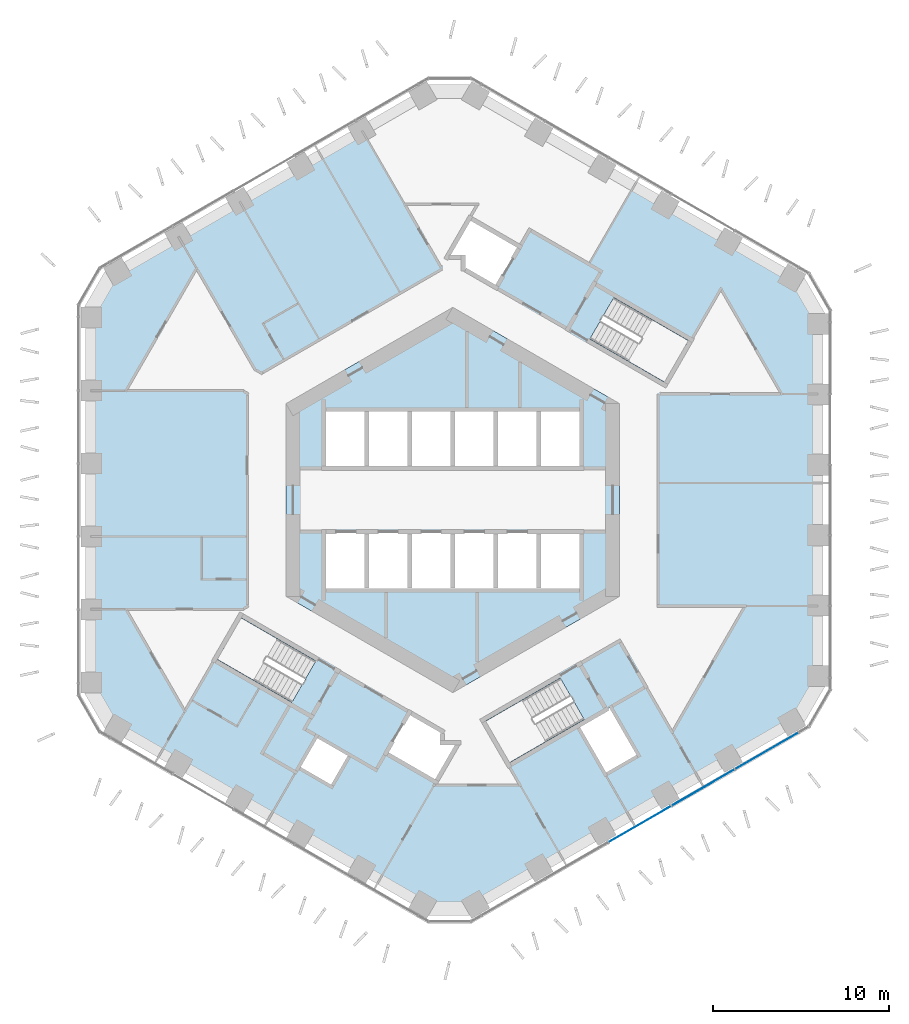
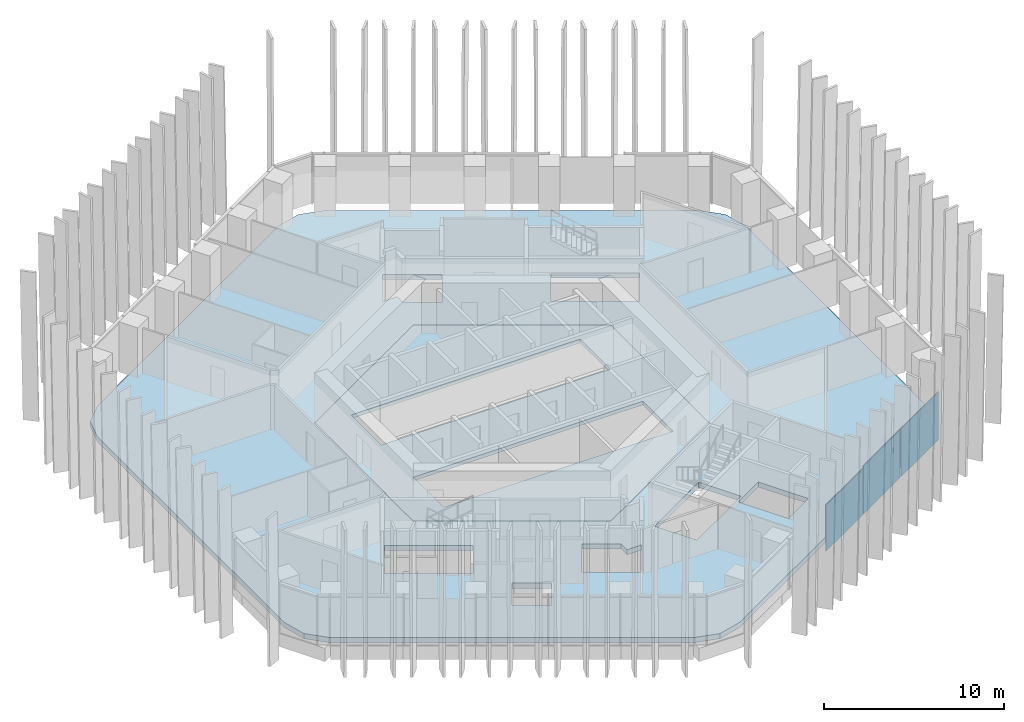
# One storey, part 10 of 20: 3 plates, 2 slabs, 1 element without a shape of its own.
"""IFC4 building model written with IfcOpenShell, lengths in metres."""

from ifc_helpers import new_model, si_unit, direction, frame, origin, origin_2d, place, context, subcontext, project, spatial, polyline, rectangle, outline, extrude, material, layer, layer_set, type_object, element, aggregate, save


model = new_model("IFC4")

# Units and contexts
model_context = context("Model", 3, precision=1e-05, world=origin(), true_north=direction((0.0, 1.0)))
body_context = subcontext(model_context, "Body", "Model", "MODEL_VIEW")
ifc_project = project(units=[si_unit("LENGTHUNIT", "METRE"), si_unit("AREAUNIT", "SQUARE_METRE"), si_unit("VOLUMEUNIT", "CUBIC_METRE"), si_unit("PLANEANGLEUNIT", "RADIAN"), si_unit("MASSUNIT", "GRAM", prefix="KILO")], contexts=[model_context])

# Site, building, storey
site_placement = place(None, origin())
site = spatial("IfcSite", under=ifc_project, at=site_placement, CompositionType="ELEMENT")
building_placement = place(site_placement, origin())
building = spatial("IfcBuilding", under=site, at=building_placement, Name="Ayvan Gate Tower", CompositionType="ELEMENT")
storey_placement = place(building_placement, frame((0.0, 0.0, 35.699951171875)))
storey = spatial("IfcBuildingStorey", under=building, at=storey_placement, Name="L08", CompositionType="ELEMENT", Elevation=35.699951171875)

# Slabs
ifc_material_1 = material(Name="Concrete C40/50", Category="concrete")
ifc_layer_1 = layer(ifc_material_1, 0.35009765625)
ifc_layer_set_1 = layer_set([ifc_layer_1], Name="Concrete C40/50")
slab_type_1 = type_object("IfcSlabType", Name="Post-tensioned flat slab 350", PredefinedType="FLOOR", material=ifc_layer_set_1)
slab_1_placement = place(storey_placement, frame((0.0, 0.0, -0.349853515625)))
element("IfcSlab", 1, at=slab_1_placement, inside=storey, type_object=slab_type_1, Name="SL-L08", PredefinedType="FLOOR", context=body_context, shape_type="SweptSolid", body=[
    extrude(outline(polyline([(-1.677978515625, -23.03125), (-19.106689453125, -12.96875), (-20.20458984375, -11.870849609375), (-20.606689453125, -10.370849609375), (-20.606689453125, 10.370849609375), (-20.20458984375, 11.870849609375), (-19.106689453125, 12.96875), (-1.677978515625, 23.03125), (-0.177978515625, 23.43310546875), (1.322021484375, 23.03125), (19.28466796875, 12.660400390625), (20.382568359375, 11.562255859375), (20.78466796875, 10.062255859375), (20.78466796875, -10.062255859375), (20.382568359375, -11.562255859375), (19.28466796875, -12.660400390625), (1.322021484375, -23.03125), (-0.177978515625, -23.43310546875), (-1.677978515625, -23.03125)]), holes=[polyline([(9.1611328125, 11.517578125), (7.80615234375, 9.170654296875), (12.049560546875, 6.720458984375), (13.404541015625, 9.0673828125), (9.1611328125, 11.517578125)]), polyline([(10.595458984375, -14.5517578125), (8.995361328125, -11.780517578125), (8.735595703125, -11.9306640625), (7.090087890625, -12.880615234375), (8.690185546875, -15.65185546875), (10.595458984375, -14.5517578125)]), polyline([(-9.5, 5.48486328125), (-9.5, -5.48486328125), (0.0, -10.9697265625), (9.5, -5.48486328125), (9.5, 5.48486328125), (0.0, 10.9697265625), (-9.5, 5.48486328125)]), polyline([(7.472412109375, -12.492431640625), (6.117431640625, -10.1455078125), (1.873779296875, -12.595458984375), (3.228759765625, -14.9423828125), (7.472412109375, -12.492431640625)]), polyline([(3.822509765625, 14.420654296875), (0.964599609375, 16.07080078125), (-0.340576171875, 13.81005859375), (0.60009765625, 13.81005859375), (0.60009765625, 13.16357421875), (2.472412109375, 12.08251953125), (3.822509765625, 14.420654296875)]), polyline([(-0.60009765625, -13.81005859375), (-0.60009765625, -13.16357421875), (-2.472412109375, -12.08251953125), (-3.822509765625, -14.420654296875), (-0.964599609375, -16.07080078125), (0.340576171875, -13.81005859375), (-0.60009765625, -13.81005859375)]), polyline([(-8.800048828125, -15.241943359375), (-6.894775390625, -16.342041015625), (-5.8447265625, -14.5234375), (-7.75, -13.42333984375), (-8.800048828125, -15.241943359375)]), polyline([(-12.049560546875, -6.720458984375), (-13.404541015625, -9.0673828125), (-9.1611328125, -11.517578125), (-7.80615234375, -9.170654296875), (-12.049560546875, -6.720458984375)])]), origin(), (0.0, 0.0, 1.0), 0.349853515625),
])
ifc_layer_2 = layer(ifc_material_1, 0.25)
ifc_layer_set_2 = layer_set([ifc_layer_2], Name="Concrete C40/50")
slab_type_2 = type_object("IfcSlabType", Name="SL-CORE-250", PredefinedType="FLOOR", material=ifc_layer_set_2)
slab_2_placement = place(storey_placement, frame((0.0, 0.0, -0.25)))
element("IfcSlab", 2, at=slab_2_placement, inside=storey, type_object=slab_type_2, Name="CS-L08", PredefinedType="FLOOR", context=body_context, shape_type="SweptSolid", body=[
    extrude(outline(polyline([(9.5, -5.48486328125), (0.0, -10.9697265625), (-9.5, -5.48486328125), (-9.5, 5.48486328125), (0.0, 10.9697265625), (9.5, 5.48486328125), (9.5, -5.48486328125)]), holes=[polyline([(-7.35009765625, -1.800048828125), (-7.35009765625, -5.14990234375), (7.35009765625, -5.14990234375), (7.35009765625, -1.800048828125), (-7.35009765625, -1.800048828125)]), polyline([(-7.35009765625, 5.14990234375), (-7.35009765625, 1.800048828125), (7.35009765625, 1.800048828125), (7.35009765625, 5.14990234375), (-7.35009765625, 5.14990234375)])]), origin(), (0.0, 0.0, 1.0), 0.25),
])

# Curtain wall, plates
ifc_material_2 = material(Name="Bronze anodised aluminium", Category="aluminium")
ifc_layer_3 = layer(ifc_material_2, 0.199951171875)
ifc_layer_set_3 = layer_set([ifc_layer_3], Name="Bronze anodised aluminium")
curtain_wall_type = type_object("IfcCurtainWallType", Name="Stick curtain wall CW-1", PredefinedType="NOTDEFINED", material=ifc_layer_set_3)
curtain_wall_placement = place(storey_placement, origin())
curtain_wall = element("IfcCurtainWall", 3, at=curtain_wall_placement, inside=storey, type_object=curtain_wall_type, Name="Stick curtain wall CW-1 L08", PredefinedType="NOTDEFINED")
ifc_material_3 = material(Name="Clear low-iron laminated glass", Category="glass")
ifc_layer_4 = layer(ifc_material_3, 0.028076171875)
ifc_layer_set_4 = layer_set([ifc_layer_4], Name="Clear low-iron laminated glass")
plate_type = type_object("IfcPlateType", Name="Stick curtain wall CW-1 glass panel", PredefinedType="CURTAIN_PANEL", material=ifc_layer_set_4)
plate_1_placement = place(storey_placement, frame((10.65283203125, -18.4521484375, 0.0), z_axis=(0.0, 0.0, 1.0), x_axis=(0.866025403784, 0.5, 0.0)))
plate_1 = element("IfcPlate", 4, at=plate_1_placement, type_object=plate_type, Name="CW-1 glass panel 3", PredefinedType="CURTAIN_PANEL", context=body_context, shape_type="SweptSolid", body=[
    extrude(rectangle(XDim=4.094970703125, YDim=0.028076171875, at=origin_2d()), origin(), (0.0, 0.0, 1.0), 3.14990234375),
])
plate_2_placement = place(storey_placement, frame((14.251708984375, -16.37451171875, 0.0), z_axis=(0.0, 0.0, 1.0), x_axis=(0.866025403784, 0.5, 0.0)))
plate_2 = element("IfcPlate", 5, at=plate_2_placement, type_object=plate_type, Name="CW-1 glass panel 4", PredefinedType="CURTAIN_PANEL", context=body_context, shape_type="SweptSolid", body=[
    extrude(rectangle(XDim=4.095947265625, YDim=0.028076171875, at=origin_2d()), origin(), (0.0, 0.0, 1.0), 3.280029296875),
])
plate_3_placement = place(storey_placement, frame((17.8828125, -14.278076171875, 0.0), z_axis=(0.0, 0.0, 1.0), x_axis=(0.866025403784, 0.5, 0.0)))
plate_3 = element("IfcPlate", 6, at=plate_3_placement, type_object=plate_type, Name="CW-1 glass panel 5", PredefinedType="CURTAIN_PANEL", context=body_context, shape_type="SweptSolid", body=[
    extrude(rectangle(XDim=4.169677734375, YDim=0.028076171875, at=origin_2d()), origin(), (0.0, 0.0, 1.0), 3.280029296875),
])
aggregate(curtain_wall, [plate_1, plate_2, plate_3])

save(model, "model.ifc")
